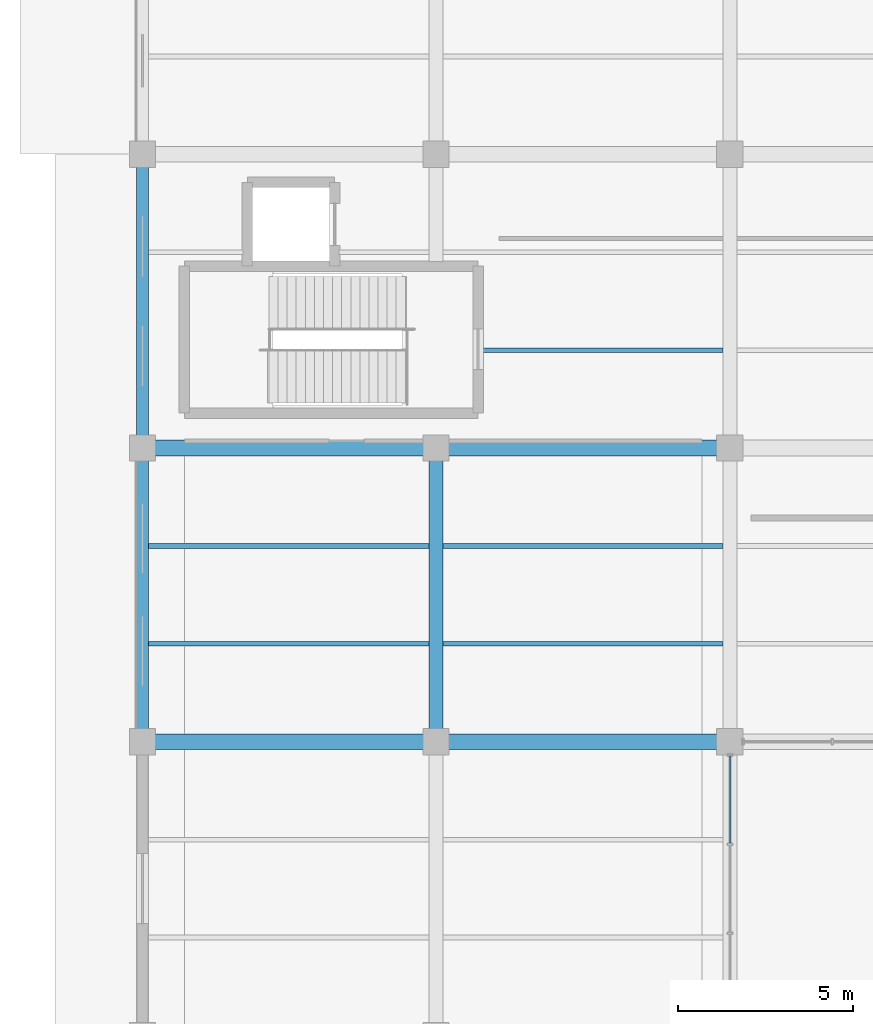
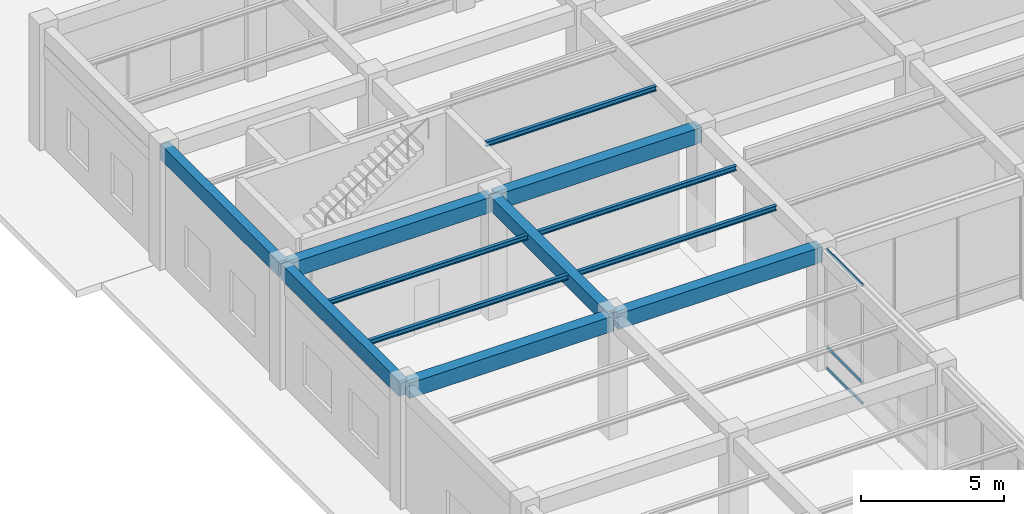
# One storey, part 11 of 157: 12 beams, 3 members, 1 element without a shape of its own.
"""IFC4 building model written with IfcOpenShell, lengths in metres."""

from ifc_helpers import new_model, si_unit, direction, frame, origin, origin_2d, place, context, subcontext, project, spatial, rectangle, hollow_rectangle, i_section, extrude, material, material_profile, profile_set, type_object, element, aggregate, save


model = new_model("IFC4")

# Units and contexts
model_context = context("Model", 3, precision=1e-05, world=origin(), true_north=direction((0.0, 1.0)))
body_context = subcontext(model_context, "Body", "Model", "MODEL_VIEW")
ifc_project = project(units=[si_unit("LENGTHUNIT", "METRE"), si_unit("AREAUNIT", "SQUARE_METRE"), si_unit("VOLUMEUNIT", "CUBIC_METRE"), si_unit("PLANEANGLEUNIT", "RADIAN"), si_unit("MASSUNIT", "GRAM", prefix="KILO"), si_unit("THERMODYNAMICTEMPERATUREUNIT", "KELVIN"), si_unit("POWERUNIT", "WATT")], contexts=[model_context])

# Site, building, storey
site_placement = place(None, origin())
site = spatial("IfcSite", under=ifc_project, at=site_placement, CompositionType="ELEMENT")
building_placement = place(site_placement, origin())
building = spatial("IfcBuilding", under=site, at=building_placement, Name="Darbajah Civic Hall", CompositionType="ELEMENT")
storey_placement = place(building_placement, origin())
storey = spatial("IfcBuildingStorey", under=building, at=storey_placement, Name="L00", CompositionType="ELEMENT", Elevation=0.0)

# Curtain wall, members
ifc_material_1 = material(Name="Anodised Bronze Aluminium and Low-E Glazing", Category="aluminium")
curtain_wall_type = type_object("IfcCurtainWallType", Name="Unitised Curtain Wall CW-98 7600x5150", PredefinedType="USERDEFINED", material=ifc_material_1)
curtain_wall_placement = place(storey_placement, origin())
curtain_wall = element("IfcCurtainWall", 1, at=curtain_wall_placement, inside=storey, type_object=curtain_wall_type, Name="L00 unitised curtain wall CW-V5-L00-S1-B1", ObjectType="UNITISED CURTAIN WALL", PredefinedType="USERDEFINED")
ifc_material_2 = material(Name="Anodised Bronze Aluminium", Category="aluminium")
ifc_material_profile_1 = material_profile(ifc_material_2, hollow_rectangle(XDim=0.06005859375, YDim=0.1201171875, WallThickness=0.003173828125, at=origin_2d()), Name="ALU TRANSOM 60x120")
ifc_profile_set_1 = profile_set([ifc_material_profile_1], Name="Anodised Bronze Aluminium")
member_type = type_object("IfcMemberType", Name="ALU TRANSOM 60x120", PredefinedType="USERDEFINED", material=ifc_profile_set_1)
member_1_placement = place(storey_placement, frame((16.800048828125, 13.9091796875, 0.06005859375), z_axis=(0.0, 1.0, 0.0), x_axis=(-1.0, 0.0, 0.0)))
member_1 = element("IfcMember", 2, at=member_1_placement, type_object=member_type, Name="CW-V5-L00-S1-B1 transom 3.1", ObjectType="TRANSOM", PredefinedType="USERDEFINED", context=body_context, shape_type="SweptSolid", body=[
    extrude(hollow_rectangle(XDim=0.06005859375, YDim=0.1201171875, WallThickness=0.003173828125, at=origin_2d()), origin(), (0.0, 0.0, 1.0), 2.478759765625),
])
member_2_placement = place(storey_placement, frame((16.800048828125, 13.9091796875, 0.949951171875), z_axis=(0.0, 1.0, 0.0), x_axis=(-1.0, 0.0, 0.0)))
member_2 = element("IfcMember", 3, at=member_2_placement, type_object=member_type, Name="CW-V5-L00-S1-B1 transom 3.2", ObjectType="TRANSOM", PredefinedType="USERDEFINED", context=body_context, shape_type="SweptSolid", body=[
    extrude(hollow_rectangle(XDim=0.06005859375, YDim=0.1201171875, WallThickness=0.003173828125, at=origin_2d()), origin(), (0.0, 0.0, 1.0), 2.478759765625),
])
member_3_placement = place(storey_placement, frame((16.800048828125, 13.9091796875, 5.080078125), z_axis=(0.0, 1.0, 0.0), x_axis=(-1.0, 0.0, 0.0)))
member_3 = element("IfcMember", 4, at=member_3_placement, type_object=member_type, Name="CW-V5-L00-S1-B1 transom 3.3", ObjectType="TRANSOM", PredefinedType="USERDEFINED", context=body_context, shape_type="SweptSolid", body=[
    extrude(hollow_rectangle(XDim=0.06005859375, YDim=0.1201171875, WallThickness=0.003173828125, at=origin_2d()), origin(), (0.0, 0.0, 1.0), 2.478759765625),
])
aggregate(curtain_wall, [member_1, member_2, member_3])

# Beams
ifc_material_3 = material(Name="Concrete C45/55", Category="concrete")
ifc_material_profile_2 = material_profile(ifc_material_3, rectangle(XDim=0.39990234375, YDim=0.60009765625, at=origin_2d()), Name="RC BEAM 400x600")
ifc_profile_set_2 = profile_set([ifc_material_profile_2], Name="Concrete C45/55")
beam_type_1 = type_object("IfcBeamType", Name="RC BEAM 400x600", PredefinedType="BEAM", material=ifc_profile_set_2)
beam_1_placement = place(storey_placement, frame((8.39990234375, 16.8798828125, 4.840087890625), z_axis=(0.0, 1.0, 0.0), x_axis=(-1.0, 0.0, 0.0)))
element("IfcBeam", 5, at=beam_1_placement, inside=storey, type_object=beam_type_1, Name="L00 beam BM-4060", PredefinedType="BEAM", context=body_context, shape_type="SweptSolid", body=[
    extrude(rectangle(XDim=0.39990234375, YDim=0.60009765625, at=origin_2d()), origin(), (0.0, 0.0, 1.0), 8.240234375),
])
ifc_material_profile_3 = material_profile(ifc_material_3, rectangle(XDim=0.449951171875, YDim=0.64990234375, at=origin_2d()), Name="RC BEAM 450x650")
ifc_profile_set_3 = profile_set([ifc_material_profile_3], Name="Concrete C45/55")
beam_type_2 = type_object("IfcBeamType", Name="RC BEAM 450x650", PredefinedType="BEAM", material=ifc_profile_set_3)
for number, where, z_axis, x_axis, name in (
    (6, (0.080078125, 16.800048828125, 4.81494140625), (1.0, 0.0, 0.0), (0.0, 1.0, 0.0), "L00 beam BM-4565"),
    (7, (8.47998046875, 16.800048828125, 4.81494140625), (1.0, 0.0, 0.0), (0.0, 1.0, 0.0), "L00 beam BM-4565"),
    (8, (0.080078125, 25.199951171875, 4.81494140625), (1.0, 0.0, 0.0), (0.0, 1.0, 0.0), "L00 beam BM-4565"),
    (9, (8.47998046875, 25.199951171875, 4.81494140625), (1.0, 0.0, 0.0), (0.0, 1.0, 0.0), "L00 beam BM-4565"),
):
    element("IfcBeam", number, at=place(storey_placement, frame(where, z_axis=z_axis, x_axis=x_axis)), inside=storey, type_object=beam_type_2, Name=name, PredefinedType="BEAM", context=body_context, shape_type="SweptSolid", body=[
        extrude(rectangle(XDim=0.449951171875, YDim=0.64990234375, at=origin_2d()), origin(), (0.0, 0.0, 1.0), 8.239990234375),
    ])
ifc_material_profile_4 = material_profile(ifc_material_3, rectangle(XDim=0.35009765625, YDim=0.64990234375, at=origin_2d()), Name="RC SPANDREL 350x650")
ifc_profile_set_4 = profile_set([ifc_material_profile_4], Name="Concrete C45/55")
beam_type_3 = type_object("IfcBeamType", Name="RC SPANDREL 350x650", PredefinedType="SPANDREL", material=ifc_profile_set_4)
beam_2_placement = place(storey_placement, frame((0.0, 16.8798828125, 4.81494140625), z_axis=(0.0, 1.0, 0.0), x_axis=(-1.0, 0.0, 0.0)))
element("IfcBeam", 10, at=beam_2_placement, inside=storey, type_object=beam_type_3, Name="L00 beam SP-3565", PredefinedType="SPANDREL", context=body_context, shape_type="SweptSolid", body=[
    extrude(rectangle(XDim=0.35009765625, YDim=0.64990234375, at=origin_2d()), origin(), (0.0, 0.0, 1.0), 8.240234375),
])
beam_3_placement = place(storey_placement, frame((0.0, 25.280029296875, 4.81494140625), z_axis=(0.0, 1.0, 0.0), x_axis=(-1.0, 0.0, 0.0)))
element("IfcBeam", 11, at=beam_3_placement, inside=storey, type_object=beam_type_3, Name="L00 beam SP-3565", PredefinedType="SPANDREL", context=body_context, shape_type="SweptSolid", body=[
    extrude(rectangle(XDim=0.35009765625, YDim=0.64990234375, at=origin_2d()), origin(), (0.0, 0.0, 1.0), 8.239990234375),
])
ifc_material_4 = material(Name="Steel S355JR", Category="steel")
ifc_material_profile_5 = material_profile(ifc_material_4, i_section(OverallWidth=0.1337890625, OverallDepth=0.206787109375, WebThickness=0.00634765625, FlangeThickness=0.009521484375, FilletRadius=0.007568359375, at=origin_2d()), Name="UB 203x133x30")
ifc_profile_set_5 = profile_set([ifc_material_profile_5], Name="Steel S355JR")
beam_type_4 = type_object("IfcBeamType", Name="UB 203x133x30", PredefinedType="JOIST", material=ifc_profile_set_5)
for number, where, z_axis, x_axis, name in (
    (12, (0.175048828125, 19.60009765625, 5.03662109375), (1.0, 0.0, 0.0), (0.0, 1.0, 0.0), "L00 beam SJ-203"),
    (13, (0.175048828125, 22.39990234375, 5.03662109375), (1.0, 0.0, 0.0), (0.0, 1.0, 0.0), "L00 beam SJ-203"),
):
    element("IfcBeam", number, at=place(storey_placement, frame(where, z_axis=z_axis, x_axis=x_axis)), inside=storey, type_object=beam_type_4, Name=name, PredefinedType="JOIST", context=body_context, shape_type="SweptSolid", body=[
        extrude(i_section(OverallWidth=0.1337890625, OverallDepth=0.206787109375, WebThickness=0.00634765625, FlangeThickness=0.009521484375, FilletRadius=0.007568359375, at=origin_2d()), origin(), (0.0, 0.0, 1.0), 8.02490234375),
    ])
for number, where, z_axis, x_axis, name in (
    (14, (8.60009765625, 19.60009765625, 5.03662109375), (1.0, 0.0, 0.0), (0.0, 1.0, 0.0), "L00 beam SJ-203"),
    (15, (8.60009765625, 22.39990234375, 5.03662109375), (1.0, 0.0, 0.0), (0.0, 1.0, 0.0), "L00 beam SJ-203"),
):
    element("IfcBeam", number, at=place(storey_placement, frame(where, z_axis=z_axis, x_axis=x_axis)), inside=storey, type_object=beam_type_4, Name=name, PredefinedType="JOIST", context=body_context, shape_type="SweptSolid", body=[
        extrude(i_section(OverallWidth=0.1337890625, OverallDepth=0.206787109375, WebThickness=0.00634765625, FlangeThickness=0.009521484375, FilletRadius=0.007568359375, at=origin_2d()), origin(), (0.0, 0.0, 1.0), 8.0),
    ])
beam_4_placement = place(storey_placement, frame((9.739990234375, 28.0, 5.03662109375), z_axis=(1.0, 0.0, 0.0), x_axis=(0.0, 1.0, 0.0)))
element("IfcBeam", 16, at=beam_4_placement, inside=storey, type_object=beam_type_4, Name="L00 beam SJ-203", PredefinedType="JOIST", context=body_context, shape_type="SweptSolid", body=[
    extrude(i_section(OverallWidth=0.1337890625, OverallDepth=0.206787109375, WebThickness=0.00634765625, FlangeThickness=0.009521484375, FilletRadius=0.007568359375, at=origin_2d()), origin(), (0.0, 0.0, 1.0), 6.860107421875),
])

save(model, "model.ifc")
